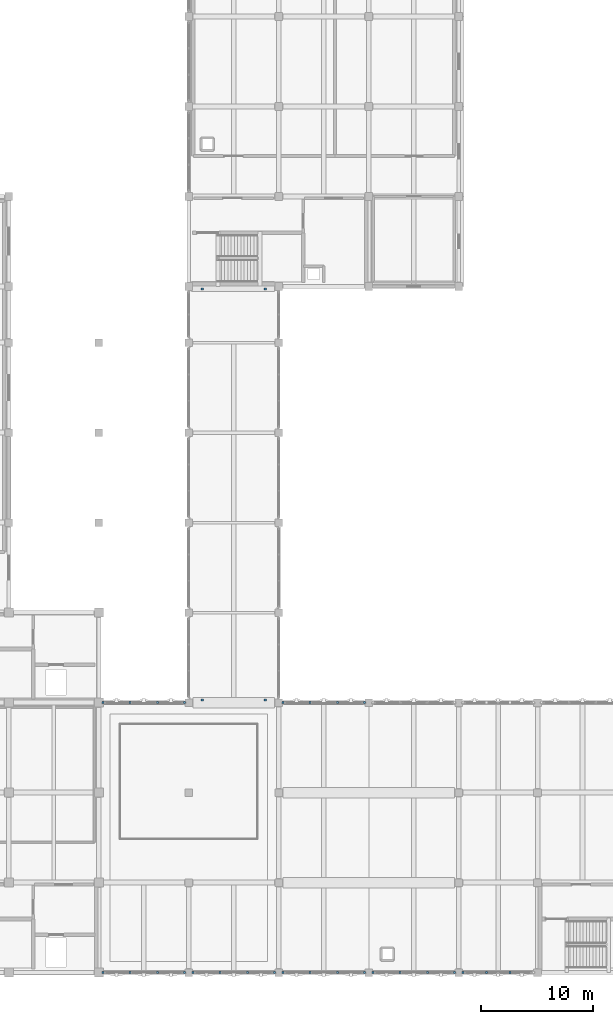
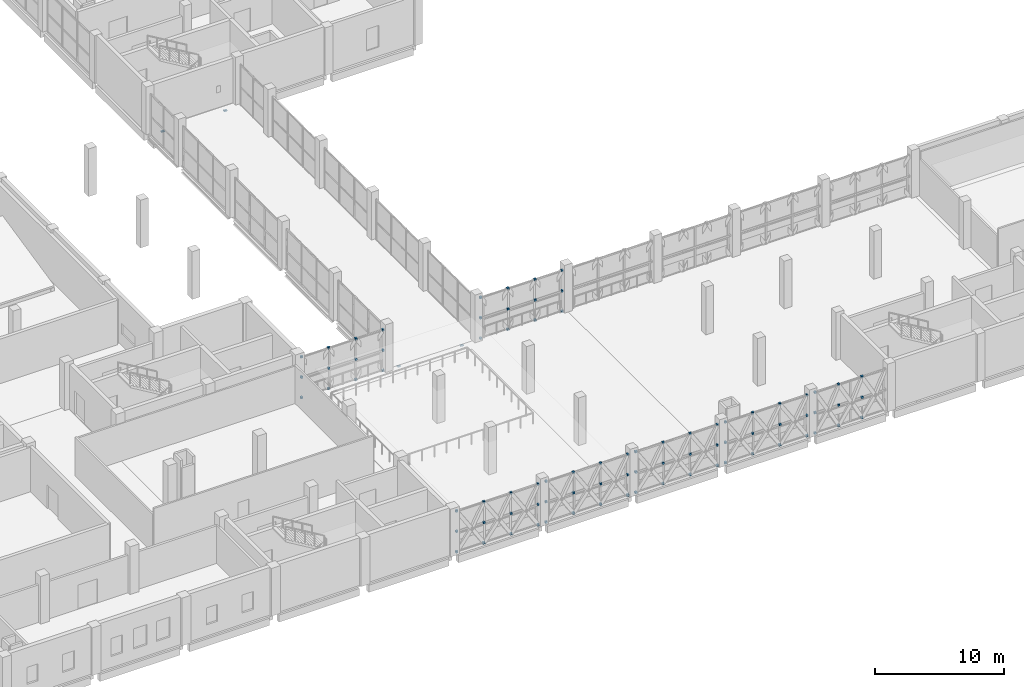
# One storey, part 34 of 45: 85 discrete accessories.
"""IFC4 building model written with IfcOpenShell, lengths in metres."""

from ifc_helpers import new_model, si_unit, direction, frame, origin, origin_2d, place, context, subcontext, project, spatial, rectangle, extrude, material, type_object, element, save


model = new_model("IFC4")

# Units and contexts
model_context = context("Model", 3, precision=1e-05, world=origin(), true_north=direction((0.0, 1.0)))
body_context = subcontext(model_context, "Body", "Model", "MODEL_VIEW")
ifc_project = project(units=[si_unit("LENGTHUNIT", "METRE"), si_unit("AREAUNIT", "SQUARE_METRE"), si_unit("VOLUMEUNIT", "CUBIC_METRE"), si_unit("PLANEANGLEUNIT", "RADIAN"), si_unit("MASSUNIT", "GRAM", prefix="KILO")], contexts=[model_context])

# Site, building, storey
site_placement = place(None, origin())
site = spatial("IfcSite", under=ifc_project, at=site_placement, CompositionType="ELEMENT")
building_placement = place(site_placement, origin())
building = spatial("IfcBuilding", under=site, at=building_placement, Name="Qorikala Patio Media Centre", CompositionType="ELEMENT")
storey_placement = place(building_placement, frame((0.0, 0.0, 9.89990234375)))
storey = spatial("IfcBuildingStorey", under=building, at=storey_placement, Name="L02", CompositionType="ELEMENT", Elevation=9.89990234375)

# Discrete accessories
ifc_material_1 = material(Name="PTFE Elastomeric and Steel S355", Category="steel")
discrete_accessory_type_1 = type_object("IfcDiscreteAccessoryType", Name="ACC-BEARING", PredefinedType="SHOE", material=ifc_material_1)
for number, where, z_axis, x_axis, name in (
    (1, (52.199951171875, 27.22509765625, -0.300048828125), (0.0, 0.0, 1.0), (1.0, 0.0, 0.0), "L02 Skybridge Sliding Bearing S1"),
    (2, (57.800048828125, 27.22509765625, -0.300048828125), (0.0, 0.0, 1.0), (1.0, 0.0, 0.0), "L02 Skybridge Sliding Bearing S2"),
    (3, (52.199951171875, 63.77490234375, -0.300048828125), (0.0, 0.0, 1.0), (1.0, 0.0, 0.0), "L02 Skybridge Sliding Bearing N1"),
    (4, (57.800048828125, 63.77490234375, -0.300048828125), (0.0, 0.0, 1.0), (1.0, 0.0, 0.0), "L02 Skybridge Sliding Bearing N2"),
):
    element("IfcDiscreteAccessory", number, at=place(storey_placement, frame(where, z_axis=z_axis, x_axis=x_axis)), inside=storey, type_object=discrete_accessory_type_1, Name=name, PredefinedType="SHOE", context=body_context, shape_type="SweptSolid", body=[
        extrude(rectangle(XDim=0.25, YDim=0.179931640625, at=origin_2d()), origin(), (0.0, 0.0, 1.0), 0.080078125),
    ])
ifc_material_2 = material(Name="Steel S355", Category="steel")
discrete_accessory_type_2 = type_object("IfcDiscreteAccessoryType", Name="ACC-BRACKET", PredefinedType="BRACKET", material=ifc_material_2)
for number, where, z_axis, x_axis, name in (
    (5, (79.546630859375, 3.0, -0.08984375), (0.0, 0.0, 1.0), (1.0, 0.0, 0.0), "L02 Brace End Bolted Connection Bracket 0356"),
    (6, (79.546630859375, 3.0, 3.76025390625), (0.0, 0.0, 1.0), (1.0, 0.0, 0.0), "L02 Brace End Bolted Connection Bracket 0358"),
    (7, (79.546630859375, 3.0, 1.8349609375), (0.0, 0.0, 1.0), (1.0, 0.0, 0.0), "L02 Brace End Bolted Connection Bracket 0360"),
    (8, (77.453369140625, 3.0, -0.08984375), (0.0, 0.0, 1.0), (1.0, 0.0, 0.0), "L02 Brace End Bolted Connection Bracket 0361"),
    (9, (77.453369140625, 3.0, 3.76025390625), (0.0, 0.0, 1.0), (1.0, 0.0, 0.0), "L02 Brace End Bolted Connection Bracket 0362"),
    (10, (77.453369140625, 3.0, 1.8349609375), (0.0, 0.0, 1.0), (1.0, 0.0, 0.0), "L02 Brace End Bolted Connection Bracket 0363"),
    (11, (75.360107421875, 3.0, -0.08984375), (0.0, 0.0, 1.0), (1.0, 0.0, 0.0), "L02 Brace End Bolted Connection Bracket 0364"),
    (12, (75.360107421875, 3.0, 3.76025390625), (0.0, 0.0, 1.0), (1.0, 0.0, 0.0), "L02 Brace End Bolted Connection Bracket 0365"),
    (13, (75.360107421875, 3.0, 1.8349609375), (0.0, 0.0, 1.0), (1.0, 0.0, 0.0), "L02 Brace End Bolted Connection Bracket 0366"),
    (14, (74.639892578125, 3.0, -0.08984375), (0.0, 0.0, 1.0), (1.0, 0.0, 0.0), "L02 Brace End Bolted Connection Bracket 0367"),
    (15, (72.21337890625, 3.0, -0.08984375), (0.0, 0.0, 1.0), (1.0, 0.0, 0.0), "L02 Brace End Bolted Connection Bracket 0368"),
    (16, (74.639892578125, 3.0, 3.76025390625), (0.0, 0.0, 1.0), (1.0, 0.0, 0.0), "L02 Brace End Bolted Connection Bracket 0369"),
    (17, (72.21337890625, 3.0, 3.76025390625), (0.0, 0.0, 1.0), (1.0, 0.0, 0.0), "L02 Brace End Bolted Connection Bracket 0370"),
    (18, (74.639892578125, 3.0, 1.8349609375), (0.0, 0.0, 1.0), (1.0, 0.0, 0.0), "L02 Brace End Bolted Connection Bracket 0371"),
    (19, (72.21337890625, 3.0, 1.8349609375), (0.0, 0.0, 1.0), (1.0, 0.0, 0.0), "L02 Brace End Bolted Connection Bracket 0372"),
    (20, (69.78662109375, 3.0, -0.08984375), (0.0, 0.0, 1.0), (1.0, 0.0, 0.0), "L02 Brace End Bolted Connection Bracket 0373"),
    (21, (69.78662109375, 3.0, 3.76025390625), (0.0, 0.0, 1.0), (1.0, 0.0, 0.0), "L02 Brace End Bolted Connection Bracket 0374"),
    (22, (69.78662109375, 3.0, 1.8349609375), (0.0, 0.0, 1.0), (1.0, 0.0, 0.0), "L02 Brace End Bolted Connection Bracket 0375"),
    (23, (67.360107421875, 3.0, -0.08984375), (0.0, 0.0, 1.0), (1.0, 0.0, 0.0), "L02 Brace End Bolted Connection Bracket 0376"),
    (24, (67.360107421875, 3.0, 3.76025390625), (0.0, 0.0, 1.0), (1.0, 0.0, 0.0), "L02 Brace End Bolted Connection Bracket 0377"),
    (25, (67.360107421875, 3.0, 1.8349609375), (0.0, 0.0, 1.0), (1.0, 0.0, 0.0), "L02 Brace End Bolted Connection Bracket 0378"),
    (26, (66.639892578125, 3.0, -0.08984375), (0.0, 0.0, 1.0), (1.0, 0.0, 0.0), "L02 Brace End Bolted Connection Bracket 0379"),
    (27, (64.21337890625, 3.0, -0.08984375), (0.0, 0.0, 1.0), (1.0, 0.0, 0.0), "L02 Brace End Bolted Connection Bracket 0380"),
    (28, (66.639892578125, 3.0, 3.76025390625), (0.0, 0.0, 1.0), (1.0, 0.0, 0.0), "L02 Brace End Bolted Connection Bracket 0381"),
    (29, (64.21337890625, 3.0, 3.76025390625), (0.0, 0.0, 1.0), (1.0, 0.0, 0.0), "L02 Brace End Bolted Connection Bracket 0382"),
    (30, (66.639892578125, 3.0, 1.8349609375), (0.0, 0.0, 1.0), (1.0, 0.0, 0.0), "L02 Brace End Bolted Connection Bracket 0383"),
    (31, (64.21337890625, 3.0, 1.8349609375), (0.0, 0.0, 1.0), (1.0, 0.0, 0.0), "L02 Brace End Bolted Connection Bracket 0384"),
    (32, (61.78662109375, 3.0, -0.08984375), (0.0, 0.0, 1.0), (1.0, 0.0, 0.0), "L02 Brace End Bolted Connection Bracket 0385"),
    (33, (61.78662109375, 3.0, 3.76025390625), (0.0, 0.0, 1.0), (1.0, 0.0, 0.0), "L02 Brace End Bolted Connection Bracket 0386"),
    (34, (61.78662109375, 3.0, 1.8349609375), (0.0, 0.0, 1.0), (1.0, 0.0, 0.0), "L02 Brace End Bolted Connection Bracket 0387"),
    (35, (59.360107421875, 3.0, -0.08984375), (0.0, 0.0, 1.0), (1.0, 0.0, 0.0), "L02 Brace End Bolted Connection Bracket 0388"),
    (36, (59.360107421875, 3.0, 3.76025390625), (0.0, 0.0, 1.0), (1.0, 0.0, 0.0), "L02 Brace End Bolted Connection Bracket 0389"),
    (37, (59.360107421875, 3.0, 1.8349609375), (0.0, 0.0, 1.0), (1.0, 0.0, 0.0), "L02 Brace End Bolted Connection Bracket 0390"),
    (38, (58.639892578125, 3.0, -0.08984375), (0.0, 0.0, 1.0), (1.0, 0.0, 0.0), "L02 Brace End Bolted Connection Bracket 0391"),
    (39, (56.21337890625, 3.0, -0.08984375), (0.0, 0.0, 1.0), (1.0, 0.0, 0.0), "L02 Brace End Bolted Connection Bracket 0392"),
    (40, (58.639892578125, 3.0, 3.76025390625), (0.0, 0.0, 1.0), (1.0, 0.0, 0.0), "L02 Brace End Bolted Connection Bracket 0393"),
    (41, (56.21337890625, 3.0, 3.76025390625), (0.0, 0.0, 1.0), (1.0, 0.0, 0.0), "L02 Brace End Bolted Connection Bracket 0394"),
    (42, (58.639892578125, 3.0, 1.8349609375), (0.0, 0.0, 1.0), (1.0, 0.0, 0.0), "L02 Brace End Bolted Connection Bracket 0395"),
    (43, (56.21337890625, 3.0, 1.8349609375), (0.0, 0.0, 1.0), (1.0, 0.0, 0.0), "L02 Brace End Bolted Connection Bracket 0396"),
    (44, (53.78662109375, 3.0, -0.08984375), (0.0, 0.0, 1.0), (1.0, 0.0, 0.0), "L02 Brace End Bolted Connection Bracket 0397"),
    (45, (53.78662109375, 3.0, 3.76025390625), (0.0, 0.0, 1.0), (1.0, 0.0, 0.0), "L02 Brace End Bolted Connection Bracket 0398"),
    (46, (53.78662109375, 3.0, 1.8349609375), (0.0, 0.0, 1.0), (1.0, 0.0, 0.0), "L02 Brace End Bolted Connection Bracket 0399"),
    (47, (51.360107421875, 3.0, -0.08984375), (0.0, 0.0, 1.0), (1.0, 0.0, 0.0), "L02 Brace End Bolted Connection Bracket 0400"),
    (48, (51.360107421875, 3.0, 3.76025390625), (0.0, 0.0, 1.0), (1.0, 0.0, 0.0), "L02 Brace End Bolted Connection Bracket 0401"),
    (49, (51.360107421875, 3.0, 1.8349609375), (0.0, 0.0, 1.0), (1.0, 0.0, 0.0), "L02 Brace End Bolted Connection Bracket 0402"),
    (50, (50.639892578125, 3.0, -0.08984375), (0.0, 0.0, 1.0), (1.0, 0.0, 0.0), "L02 Brace End Bolted Connection Bracket 0403"),
    (51, (48.21337890625, 3.0, -0.08984375), (0.0, 0.0, 1.0), (1.0, 0.0, 0.0), "L02 Brace End Bolted Connection Bracket 0404"),
    (52, (50.639892578125, 3.0, 3.76025390625), (0.0, 0.0, 1.0), (1.0, 0.0, 0.0), "L02 Brace End Bolted Connection Bracket 0405"),
    (53, (48.21337890625, 3.0, 3.76025390625), (0.0, 0.0, 1.0), (1.0, 0.0, 0.0), "L02 Brace End Bolted Connection Bracket 0406"),
    (54, (50.639892578125, 3.0, 1.8349609375), (0.0, 0.0, 1.0), (1.0, 0.0, 0.0), "L02 Brace End Bolted Connection Bracket 0407"),
    (55, (48.21337890625, 3.0, 1.8349609375), (0.0, 0.0, 1.0), (1.0, 0.0, 0.0), "L02 Brace End Bolted Connection Bracket 0408"),
    (56, (45.78662109375, 3.0, -0.08984375), (0.0, 0.0, 1.0), (1.0, 0.0, 0.0), "L02 Brace End Bolted Connection Bracket 0409"),
    (57, (45.78662109375, 3.0, 3.76025390625), (0.0, 0.0, 1.0), (1.0, 0.0, 0.0), "L02 Brace End Bolted Connection Bracket 0410"),
    (58, (45.78662109375, 3.0, 1.8349609375), (0.0, 0.0, 1.0), (1.0, 0.0, 0.0), "L02 Brace End Bolted Connection Bracket 0411"),
    (59, (43.360107421875, 3.0, -0.08984375), (0.0, 0.0, 1.0), (1.0, 0.0, 0.0), "L02 Brace End Bolted Connection Bracket 0412"),
    (60, (43.360107421875, 3.0, 3.76025390625), (0.0, 0.0, 1.0), (1.0, 0.0, 0.0), "L02 Brace End Bolted Connection Bracket 0413"),
    (61, (43.360107421875, 3.0, 1.8349609375), (0.0, 0.0, 1.0), (1.0, 0.0, 0.0), "L02 Brace End Bolted Connection Bracket 0414"),
    (62, (43.360107421875, 27.0, -0.08984375), (0.0, 0.0, 1.0), (1.0, 0.0, 0.0), "L02 Brace End Bolted Connection Bracket 0415"),
    (63, (45.78662109375, 27.0, -0.08984375), (0.0, 0.0, 1.0), (1.0, 0.0, 0.0), "L02 Brace End Bolted Connection Bracket 0416"),
    (64, (43.360107421875, 27.0, 3.76025390625), (0.0, 0.0, 1.0), (1.0, 0.0, 0.0), "L02 Brace End Bolted Connection Bracket 0417"),
    (65, (45.78662109375, 27.0, 3.76025390625), (0.0, 0.0, 1.0), (1.0, 0.0, 0.0), "L02 Brace End Bolted Connection Bracket 0418"),
    (66, (43.360107421875, 27.0, 1.8349609375), (0.0, 0.0, 1.0), (1.0, 0.0, 0.0), "L02 Brace End Bolted Connection Bracket 0419"),
    (67, (45.78662109375, 27.0, 1.8349609375), (0.0, 0.0, 1.0), (1.0, 0.0, 0.0), "L02 Brace End Bolted Connection Bracket 0420"),
    (68, (48.21337890625, 27.0, -0.08984375), (0.0, 0.0, 1.0), (1.0, 0.0, 0.0), "L02 Brace End Bolted Connection Bracket 0421"),
    (69, (48.21337890625, 27.0, 3.76025390625), (0.0, 0.0, 1.0), (1.0, 0.0, 0.0), "L02 Brace End Bolted Connection Bracket 0422"),
    (70, (48.21337890625, 27.0, 1.8349609375), (0.0, 0.0, 1.0), (1.0, 0.0, 0.0), "L02 Brace End Bolted Connection Bracket 0423"),
    (71, (50.639892578125, 27.0, -0.08984375), (0.0, 0.0, 1.0), (1.0, 0.0, 0.0), "L02 Brace End Bolted Connection Bracket 0424"),
    (72, (50.639892578125, 27.0, 3.76025390625), (0.0, 0.0, 1.0), (1.0, 0.0, 0.0), "L02 Brace End Bolted Connection Bracket 0425"),
    (73, (50.639892578125, 27.0, 1.8349609375), (0.0, 0.0, 1.0), (1.0, 0.0, 0.0), "L02 Brace End Bolted Connection Bracket 0426"),
    (74, (59.360107421875, 27.0, -0.08984375), (0.0, 0.0, 1.0), (1.0, 0.0, 0.0), "L02 Brace End Bolted Connection Bracket 0427"),
    (75, (61.78662109375, 27.0, -0.08984375), (0.0, 0.0, 1.0), (1.0, 0.0, 0.0), "L02 Brace End Bolted Connection Bracket 0428"),
    (76, (59.360107421875, 27.0, 3.76025390625), (0.0, 0.0, 1.0), (1.0, 0.0, 0.0), "L02 Brace End Bolted Connection Bracket 0429"),
    (77, (61.78662109375, 27.0, 3.76025390625), (0.0, 0.0, 1.0), (1.0, 0.0, 0.0), "L02 Brace End Bolted Connection Bracket 0430"),
    (78, (59.360107421875, 27.0, 1.8349609375), (0.0, 0.0, 1.0), (1.0, 0.0, 0.0), "L02 Brace End Bolted Connection Bracket 0431"),
    (79, (61.78662109375, 27.0, 1.8349609375), (0.0, 0.0, 1.0), (1.0, 0.0, 0.0), "L02 Brace End Bolted Connection Bracket 0432"),
    (80, (64.21337890625, 27.0, -0.08984375), (0.0, 0.0, 1.0), (1.0, 0.0, 0.0), "L02 Brace End Bolted Connection Bracket 0433"),
    (81, (64.21337890625, 27.0, 3.76025390625), (0.0, 0.0, 1.0), (1.0, 0.0, 0.0), "L02 Brace End Bolted Connection Bracket 0434"),
    (82, (64.21337890625, 27.0, 1.8349609375), (0.0, 0.0, 1.0), (1.0, 0.0, 0.0), "L02 Brace End Bolted Connection Bracket 0435"),
    (83, (66.639892578125, 27.0, -0.08984375), (0.0, 0.0, 1.0), (1.0, 0.0, 0.0), "L02 Brace End Bolted Connection Bracket 0436"),
    (84, (66.639892578125, 27.0, 3.76025390625), (0.0, 0.0, 1.0), (1.0, 0.0, 0.0), "L02 Brace End Bolted Connection Bracket 0437"),
    (85, (66.639892578125, 27.0, 1.8349609375), (0.0, 0.0, 1.0), (1.0, 0.0, 0.0), "L02 Brace End Bolted Connection Bracket 0438"),
):
    element("IfcDiscreteAccessory", number, at=place(storey_placement, frame(where, z_axis=z_axis, x_axis=x_axis)), inside=storey, type_object=discrete_accessory_type_2, Name=name, PredefinedType="BRACKET", context=body_context, shape_type="SweptSolid", body=[
        extrude(rectangle(XDim=0.179931640625, YDim=0.179931640625, at=origin_2d()), origin(), (0.0, 0.0, 1.0), 0.179931640625),
    ])

save(model, "model.ifc")
